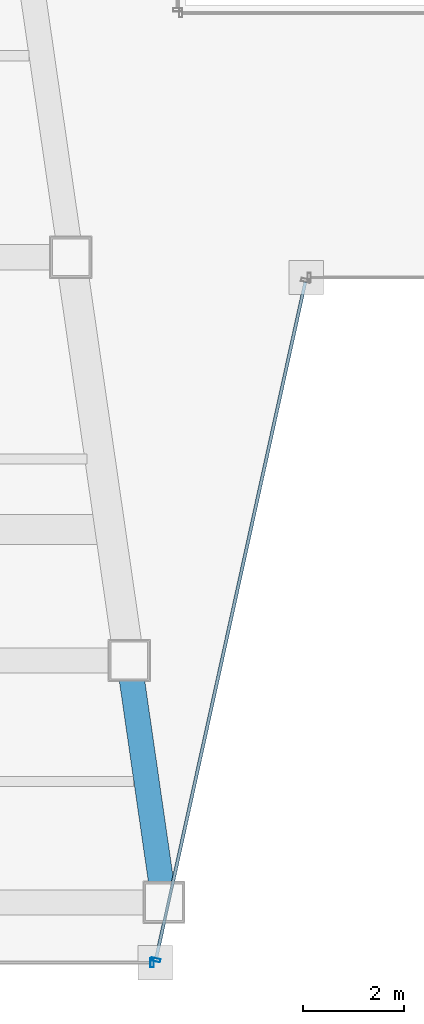
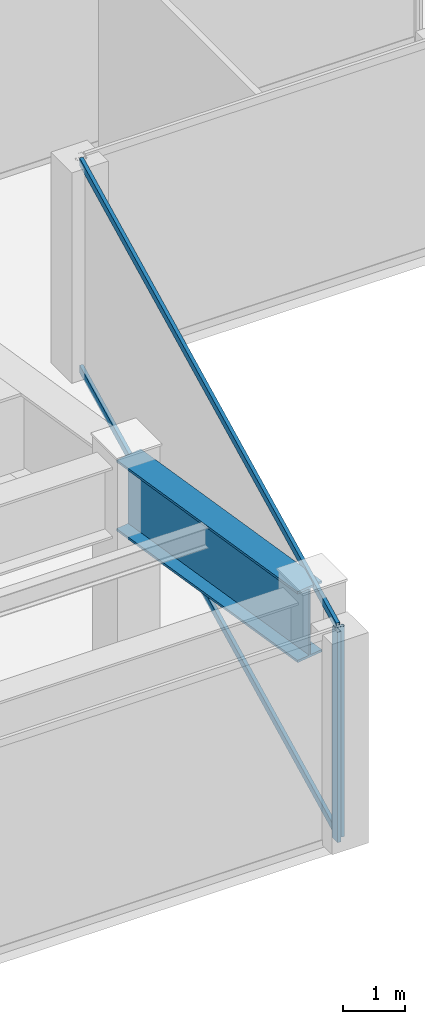
# One storey, part 7 of 40: 4 members, 1 beam, 2 elements without a shape of their own.
"""IFC4 building model written with IfcOpenShell, lengths in metres."""

import ifcopenshell
import ifcopenshell.guid

model = None  # the IFC model being written
_history = None  # IfcOwnerHistory: only IFC2X3 demands one
_inside = {}  # id of a spatial element -> (the spatial element, [elements in it])
_under = {}  # id of a project, library or spatial element -> (it, [spatial elements below it])
_declared = {}  # id of a project -> (the project, [libraries it declares])
_typed = {}  # id of a type object -> (the type object, [elements of that type])
_made_of = {}  # id of a material, layer set ... -> (it, [elements and type objects made of it])


def new_model(schema):
    """Start an empty IFC model of exactly this schema.

    Asked for "IFC4X3", IfcOpenShell would pick the latest addendum, in which some entities
    have other attributes; the version numbers below select the first issue.
    IFC2X3 requires an IfcOwnerHistory on every rooted entity: one is made here for all.
    """
    global model, _history
    if schema == "IFC4X3":
        model = ifcopenshell.file(schema_version=(4, 3, 0, 0))
    else:
        model = ifcopenshell.file(schema=schema)
    _inside.clear()
    _under.clear()
    _declared.clear()
    _typed.clear()
    _made_of.clear()
    _history = None
    if model.schema == "IFC2X3":
        org = make("IfcOrganization", Name="unknown")
        user = make(
            "IfcPersonAndOrganization",
            ThePerson=make("IfcPerson", FamilyName="unknown"),
            TheOrganization=org,
        )
        app = make(
            "IfcApplication",
            ApplicationDeveloper=org,
            Version="unknown",
            ApplicationFullName="unknown",
            ApplicationIdentifier="unknown",
        )
        _history = make(
            "IfcOwnerHistory",
            OwningUser=user,
            OwningApplication=app,
            ChangeAction="ADDED",
            CreationDate=0,
        )
    return model


def make(cls, **values):
    """One entity of the class cls with the attributes given. An attribute that is None is left unset."""
    return model.create_entity(
        cls, **{name: value for name, value in values.items() if value is not None}
    )


def rooted(cls, **values):
    """An entity with a GlobalId (a new one), such as an element, a storey or a relation."""
    return make(cls, GlobalId=ifcopenshell.guid.new(), OwnerHistory=_history, **values)


def si_unit(unit_type, name, prefix=None):
    """IfcSIUnit, for example si_unit("LENGTHUNIT", "METRE", prefix="MILLI")."""
    return make("IfcSIUnit", UnitType=unit_type, Prefix=prefix, Name=name)


def assignment(units):
    """IfcUnitAssignment: the units of a project."""
    return None if units is None else make("IfcUnitAssignment", Units=units)


def point(xyz):
    """IfcCartesianPoint."""
    return None if xyz is None else make("IfcCartesianPoint", Coordinates=xyz)


def direction(xyz):
    """IfcDirection."""
    return None if xyz is None else make("IfcDirection", DirectionRatios=xyz)


def frame(location, z_axis=None, x_axis=None):
    """IfcAxis2Placement3D, a coordinate frame: its origin and axes. An axis left out is left unset."""
    return make(
        "IfcAxis2Placement3D",
        Location=point(location),
        Axis=direction(z_axis),
        RefDirection=direction(x_axis),
    )


def frame_2d(location, x_axis=None):
    """IfcAxis2Placement2D, a coordinate frame in the plane: its origin and x axis."""
    return make(
        "IfcAxis2Placement2D", Location=point(location), RefDirection=direction(x_axis)
    )


def origin():
    """The frame at (0, 0, 0) with its axes left unset."""
    return frame((0.0, 0.0, 0.0))


def origin_2d():
    """The frame at (0, 0) in the plane with its x axis left unset."""
    return frame_2d((0.0, 0.0))


def place(relative_to, where):
    """IfcLocalPlacement: puts the frame where relative to a parent placement (None: the world)."""
    return make(
        "IfcLocalPlacement", PlacementRelTo=relative_to, RelativePlacement=where
    )


def context(
    kind, dimensions, precision=None, world=None, true_north=None, identifier=None
):
    """IfcGeometricRepresentationContext, for example the 3D "Model" context."""
    return make(
        "IfcGeometricRepresentationContext",
        ContextIdentifier=identifier,
        ContextType=kind,
        CoordinateSpaceDimension=dimensions,
        Precision=precision,
        WorldCoordinateSystem=world,
        TrueNorth=true_north,
    )


def subcontext(parent, identifier, kind, view, scale=None):
    """IfcGeometricRepresentationSubContext, for example "Body" below "Model"."""
    return make(
        "IfcGeometricRepresentationSubContext",
        ContextIdentifier=identifier,
        ContextType=kind,
        ParentContext=parent,
        TargetScale=scale,
        TargetView=view,
    )


def project(units=None, contexts=None):
    """IfcProject with its units and contexts."""
    return rooted(
        "IfcProject",
        Name="project",
        RepresentationContexts=contexts,
        UnitsInContext=assignment(units),
    )


def spatial(cls, under=None, at=None, **own):
    """A site, building, storey or space (cls), placed at a placement, below another one or the project."""
    s = rooted(cls, ObjectPlacement=at, **own)
    if under is not None:
        _under.setdefault(under.id(), (under, []))[1].append(s)
    return s


def profile(cls, at=None, kind="AREA", **sizes):
    """A parametric profile (cls). Its sizes go by their IFC names, for example OverallWidth=200.0."""
    return make(cls, ProfileType=kind, Position=at, **sizes)


def hollow_rectangle(**sizes):
    """IfcRectangleHollowProfileDef."""
    return profile("IfcRectangleHollowProfileDef", **sizes)


def i_section(**sizes):
    """IfcIShapeProfileDef."""
    return profile("IfcIShapeProfileDef", **sizes)


def extrude(swept, where, along, depth):
    """IfcExtrudedAreaSolid: the profile swept, set in the frame where, extruded along a direction by depth."""
    return make(
        "IfcExtrudedAreaSolid",
        SweptArea=swept,
        Position=where,
        ExtrudedDirection=direction(along),
        Depth=depth,
    )


def shape(context_of_items, identifier, shape_type, items):
    """IfcShapeRepresentation: the items that make up one representation, for example the "Body"."""
    return make(
        "IfcShapeRepresentation",
        ContextOfItems=context_of_items,
        RepresentationIdentifier=identifier,
        RepresentationType=shape_type,
        Items=items,
    )


def material(Name=None, Category=None):
    """IfcMaterial."""
    return make("IfcMaterial", Name=Name, Category=Category)


def material_profile(
    of_material, cross_section, Name=None, Category=None, Priority=None
):
    """IfcMaterialProfile: a cross section and its material."""
    return make(
        "IfcMaterialProfile",
        Name=Name,
        Material=of_material,
        Profile=cross_section,
        Priority=Priority,
        Category=Category,
    )


def profile_set(profiles, Name=None, composite=None):
    """IfcMaterialProfileSet."""
    return make(
        "IfcMaterialProfileSet",
        Name=Name,
        MaterialProfiles=profiles,
        CompositeProfile=composite,
    )


def made_of(thing, what):
    """Note that an element or type object is made of a material, layer set ...; save() writes the relation."""
    if what is not None:
        _made_of.setdefault(what.id(), (what, []))[1].append(thing)
    return thing


def type_object(cls, material=None, **own):
    """A type object (cls), such as IfcWallType, which elements share."""
    return made_of(rooted(cls, **own), material)


def element(
    cls,
    number,
    at=None,
    inside=None,
    cuts=None,
    type_object=None,
    material=None,
    context=None,
    identifier="Body",
    shape_type=None,
    held_by="IfcProductDefinitionShape",
    body=None,
    shapes=None,
    **own,
):
    """One element of the class cls, such as IfcWall. Its Tag is "e" and its number.

    at: its placement. inside: the storey or other place that contains it. cuts: it is an
    opening in that element (IfcRelVoidsElement). A single representation is given by context,
    identifier, shape_type and body (its items); several are given by shapes. held_by: the class
    of the entity that holds the representations. save() writes the other relations.
    """
    e = rooted(cls, Tag="e%d" % number, ObjectPlacement=at, **own)
    if body is not None:
        shapes = [shape(context, identifier, shape_type, body)]
    if shapes is not None:
        e.Representation = make(held_by, Representations=shapes)
    if inside is not None:
        _inside.setdefault(inside.id(), (inside, []))[1].append(e)
    if cuts is not None:
        rooted(
            "IfcRelVoidsElement", RelatingBuildingElement=cuts, RelatedOpeningElement=e
        )
    if type_object is not None:
        _typed.setdefault(type_object.id(), (type_object, []))[1].append(e)
    return made_of(e, material)


def aggregate(whole, parts):
    """IfcRelAggregates: a whole, such as a stair, and the parts it consists of."""
    return rooted("IfcRelAggregates", RelatingObject=whole, RelatedObjects=parts)


def save(model, path):
    """Write the relations noted so far, then the file.

    IfcRelAggregates (storeys below a building ...), IfcRelContainedInSpatialStructure (elements
    in a storey), IfcRelDefinesByType, IfcRelAssociatesMaterial and IfcRelDeclares: one each for
    every whole, place, type object, material and project.
    """
    for whole, parts in _under.values():
        aggregate(whole, parts)
    for where, things in _inside.values():
        rooted(
            "IfcRelContainedInSpatialStructure",
            RelatedElements=things,
            RelatingStructure=where,
        )
    for kind, things in _typed.values():
        rooted("IfcRelDefinesByType", RelatedObjects=things, RelatingType=kind)
    for what, things in _made_of.values():
        rooted("IfcRelAssociatesMaterial", RelatedObjects=things, RelatingMaterial=what)
    for by, libraries in _declared.values():
        rooted("IfcRelDeclares", RelatingContext=by, RelatedDefinitions=libraries)
    model.write(path)


model = new_model("IFC4")

# Units and contexts
model_context = context("Model", 3, precision=1e-05, world=origin(), true_north=direction((0.0, 1.0)))
body_context = subcontext(model_context, "Body", "Model", "MODEL_VIEW")
ifc_project = project(units=[si_unit("LENGTHUNIT", "METRE"), si_unit("AREAUNIT", "SQUARE_METRE"), si_unit("VOLUMEUNIT", "CUBIC_METRE"), si_unit("PLANEANGLEUNIT", "RADIAN"), si_unit("MASSUNIT", "GRAM", prefix="KILO")], contexts=[model_context])

# Site, building, storey
site_placement = place(None, origin())
site = spatial("IfcSite", under=ifc_project, at=site_placement, CompositionType="ELEMENT")
building_placement = place(site_placement, origin())
building = spatial("IfcBuilding", under=site, at=building_placement, Name="Saevonmaru Cultural Tower", CompositionType="ELEMENT")
storey_placement = place(building_placement, frame((0.0, 0.0, 97.199951171875)))
storey = spatial("IfcBuildingStorey", under=building, at=storey_placement, Name="L20", CompositionType="ELEMENT", Elevation=97.199951171875)

# Beam
ifc_material_1 = material(Name="Steel HSA600 (600 MPa)", Category="steel")
ifc_material_profile_1 = material_profile(ifc_material_1, i_section(OverallWidth=0.5, OverallDepth=1.39990234375, WebThickness=0.02392578125, FlangeThickness=0.044921875, at=origin_2d()), Name="PG-1400x500x24x45")
ifc_profile_set_1 = profile_set([ifc_material_profile_1], Name="Steel HSA600 (600 MPa)")
beam_type = type_object("IfcBeamType", Name="BM-TG-PG1400", PredefinedType="BEAM", material=ifc_profile_set_1)
beam_placement = place(storey_placement, frame((23.768310546875, 3.259521484375, 3.449951171875), z_axis=(-0.143083234893, 0.989710658674, 0.0), x_axis=(-0.989710658674, -0.143083234893, 0.0)))
element("IfcBeam", 1, at=beam_placement, inside=storey, type_object=beam_type, Name="L20 West Atrium Girder 1", PredefinedType="BEAM", context=body_context, shape_type="SweptSolid", body=[
    extrude(i_section(OverallWidth=0.5, OverallDepth=1.39990234375, WebThickness=0.02392578125, FlangeThickness=0.044921875, at=origin_2d()), origin(), (0.0, 0.0, 1.0), 4.729736328125),
])

# Curtain wall, member
ifc_material_2 = material(Name="Satin Bronze Anodised Aluminium", Category="aluminium")
curtain_wall_type = type_object("IfcCurtainWallType", Name="CW-TYP-A", PredefinedType="NOTDEFINED", material=ifc_material_2)
curtain_wall_1_placement = place(storey_placement, origin())
curtain_wall_1 = element("IfcCurtainWall", 2, at=curtain_wall_1_placement, inside=storey, type_object=curtain_wall_type, Name="L20 Unitised Curtain Wall E2", PredefinedType="NOTDEFINED")
ifc_material_profile_2 = material_profile(ifc_material_2, hollow_rectangle(XDim=0.06494140625, YDim=0.179931640625, WallThickness=0.00390625, at=origin_2d()), Name="ALU-MULL-180x65x4")
ifc_profile_set_2 = profile_set([ifc_material_profile_2], Name="Satin Bronze Anodised Aluminium")
member_type_1 = type_object("IfcMemberType", Name="ML-CW-180x65", PredefinedType="MULLION", material=ifc_profile_set_2)
member_1_placement = place(storey_placement, frame((23.5400390625, 2.0, 0.0), z_axis=(0.0, 0.0, 1.0), x_axis=(1.0, 0.0, 0.0)))
member_1 = element("IfcMember", 3, at=member_1_placement, type_object=member_type_1, Name="CW-TW-L20-E2 mullion 2", PredefinedType="MULLION", context=body_context, shape_type="SweptSolid", body=[
    extrude(hollow_rectangle(XDim=0.06494140625, YDim=0.179931640625, WallThickness=0.00390625, at=origin_2d()), origin(), (0.0, 0.0, 1.0), 4.150146484375),
])
aggregate(curtain_wall_1, [member_1])

# Curtain wall, members
curtain_wall_2_placement = place(storey_placement, origin())
curtain_wall_2 = element("IfcCurtainWall", 4, at=curtain_wall_2_placement, inside=storey, type_object=curtain_wall_type, Name="L20 Unitised Curtain Wall E3", PredefinedType="NOTDEFINED")
member_2_placement = place(storey_placement, frame((23.61279296875, 2.05859375, 0.0), z_axis=(0.0, 0.0, 1.0), x_axis=(0.215413319953, 0.976522965212, 0.0)))
member_2 = element("IfcMember", 5, at=member_2_placement, type_object=member_type_1, Name="CW-TW-L20-E3 mullion 1", PredefinedType="MULLION", context=body_context, shape_type="SweptSolid", body=[
    extrude(hollow_rectangle(XDim=0.06494140625, YDim=0.179931640625, WallThickness=0.00390625, at=origin_2d()), origin(), (0.0, 0.0, 1.0), 4.150146484375),
])
ifc_material_profile_3 = material_profile(ifc_material_2, hollow_rectangle(XDim=0.06494140625, YDim=0.14990234375, WallThickness=0.00390625, at=origin_2d()), Name="ALU-TRAN-150x65x4")
ifc_profile_set_3 = profile_set([ifc_material_profile_3], Name="Satin Bronze Anodised Aluminium")
member_type_2 = type_object("IfcMemberType", Name="TR-CW-150x65", PredefinedType="USERDEFINED", material=ifc_profile_set_3)
member_3_placement = place(storey_placement, frame((23.619873046875, 2.09033203125, 0.032470703125), z_axis=(0.21541214732, 0.976523223885, 0.0), x_axis=(-0.976523223885, 0.21541214732, 0.0)))
member_3 = element("IfcMember", 6, at=member_3_placement, type_object=member_type_2, Name="CW-TW-L20-E3 transom 1.1", ObjectType="TRANSOM", PredefinedType="USERDEFINED", context=body_context, shape_type="SweptSolid", body=[
    extrude(hollow_rectangle(XDim=0.06494140625, YDim=0.14990234375, WallThickness=0.00390625, at=origin_2d()), origin(), (0.0, 0.0, 1.0), 13.741943359375),
])
member_4_placement = place(storey_placement, frame((23.619873046875, 2.09033203125, 4.117431640625), z_axis=(0.21541214732, 0.976523223885, 0.0), x_axis=(-0.976523223885, 0.21541214732, 0.0)))
member_4 = element("IfcMember", 7, at=member_4_placement, type_object=member_type_2, Name="CW-TW-L20-E3 transom 1.2", ObjectType="TRANSOM", PredefinedType="USERDEFINED", context=body_context, shape_type="SweptSolid", body=[
    extrude(hollow_rectangle(XDim=0.06494140625, YDim=0.14990234375, WallThickness=0.00390625, at=origin_2d()), origin(), (0.0, 0.0, 1.0), 13.741943359375),
])
aggregate(curtain_wall_2, [member_2, member_3, member_4])

save(model, "model.ifc")
